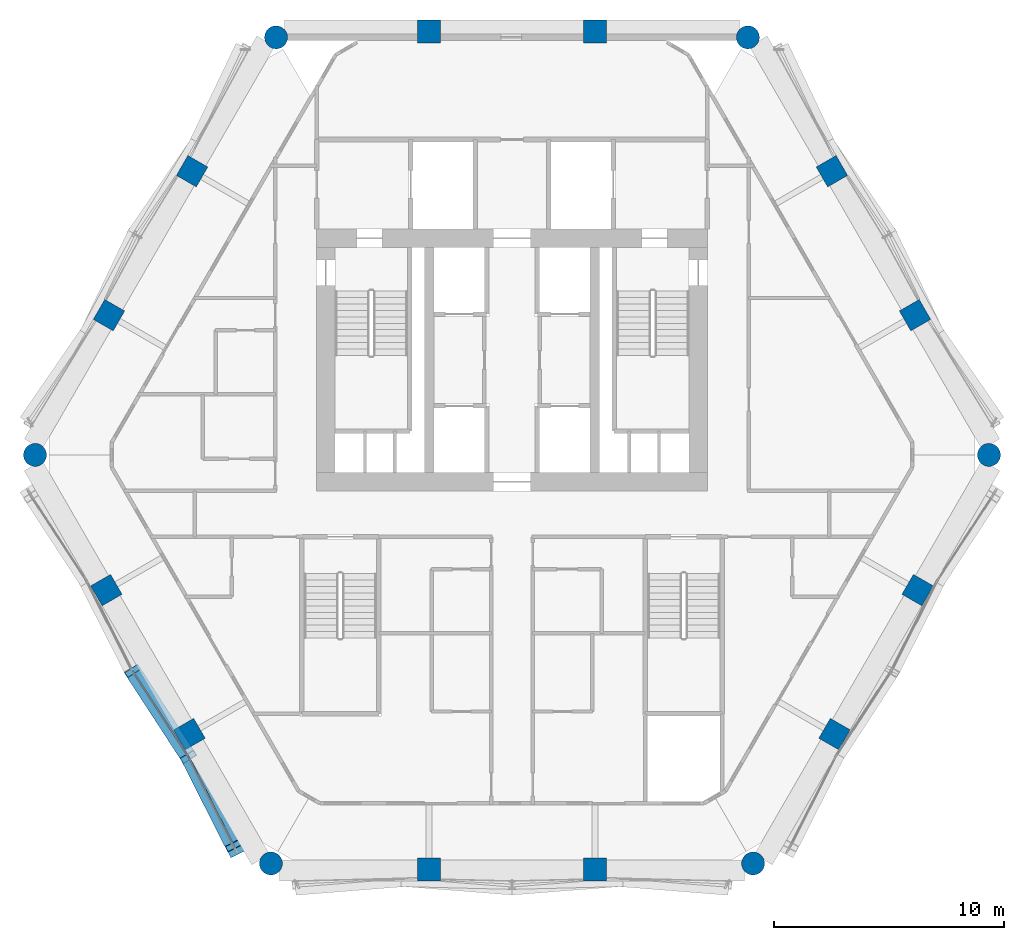
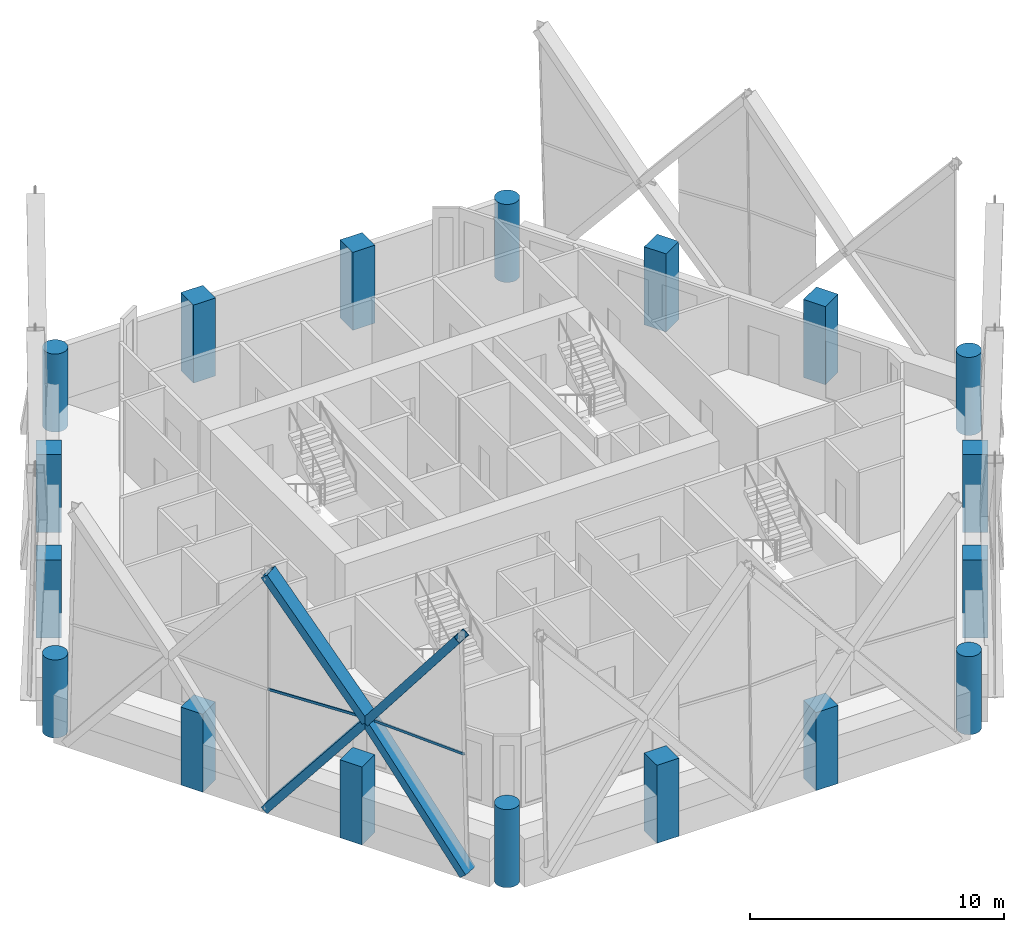
# One storey, part 1 of 19: 18 columns, 6 members, 1 element without a shape of its own.
"""IFC4 building model written with IfcOpenShell, lengths in metres."""

from ifc_helpers import new_model, si_unit, direction, frame, origin, origin_2d, place, context, subcontext, project, spatial, rectangle, hollow_rectangle, circle, extrude, material, material_profile, profile_set, type_object, element, aggregate, save


model = new_model("IFC4")

# Units and contexts
model_context = context("Model", 3, precision=1e-05, world=origin(), true_north=direction((0.0, 1.0)))
body_context = subcontext(model_context, "Body", "Model", "MODEL_VIEW")
ifc_project = project(units=[si_unit("LENGTHUNIT", "METRE"), si_unit("AREAUNIT", "SQUARE_METRE"), si_unit("VOLUMEUNIT", "CUBIC_METRE"), si_unit("PLANEANGLEUNIT", "RADIAN"), si_unit("MASSUNIT", "GRAM", prefix="KILO")], contexts=[model_context])

# Site, building, storey
site_placement = place(None, origin())
site = spatial("IfcSite", under=ifc_project, at=site_placement, CompositionType="ELEMENT")
building_placement = place(site_placement, origin())
building = spatial("IfcBuilding", under=site, at=building_placement, Name="Ostrander Bayou Hotel Tower", CompositionType="ELEMENT")
storey_placement = place(building_placement, frame((0.0, 0.0, 164.5)))
storey = spatial("IfcBuildingStorey", under=building, at=storey_placement, Name="L40", CompositionType="ELEMENT", Elevation=164.5)

# Columns
ifc_material_1 = material(Name="Concrete f'c 60 MPa", Category="concrete")
ifc_material_profile_1 = material_profile(ifc_material_1, circle(Radius=0.5, at=origin_2d()))
ifc_profile_set_1 = profile_set([ifc_material_profile_1], Name="Concrete f'c 60 MPa")
column_type_1 = type_object("IfcColumnType", Name="C5 round column 1000 mm f'c 60 MPa", PredefinedType="COLUMN", material=ifc_profile_set_1)
for number, where, z_axis, x_axis, name in (
    (1, (-10.267333984375, 18.04541015625, -1.199951171875), (0.0, 0.0, 1.0), (1.0, 0.0, 0.0), "C5 L40 K0"),
    (2, (-20.761474609375, -0.130859375, -1.199951171875), (0.0, 0.0, 1.0), (1.0, 0.0, 0.0), "C5 L40 K1"),
    (3, (-10.494140625, -17.91455078125, -1.199951171875), (0.0, 0.0, 1.0), (1.0, 0.0, 0.0), "C5 L40 K2"),
    (4, (10.494140625, -17.91455078125, -1.199951171875), (0.0, 0.0, 1.0), (1.0, 0.0, 0.0), "C5 L40 K3"),
    (5, (20.761474609375, -0.130859375, -1.199951171875), (0.0, 0.0, 1.0), (1.0, 0.0, 0.0), "C5 L40 K4"),
    (6, (10.267333984375, 18.04541015625, -1.199951171875), (0.0, 0.0, 1.0), (1.0, 0.0, 0.0), "C5 L40 K5"),
):
    element("IfcColumn", number, at=place(storey_placement, frame(where, z_axis=z_axis, x_axis=x_axis)), inside=storey, type_object=column_type_1, Name=name, PredefinedType="COLUMN", context=body_context, shape_type="SweptSolid", body=[
        extrude(circle(Radius=0.5, at=origin_2d()), origin(), (0.0, 0.0, 1.0), 3.75),
    ])
ifc_material_2 = material(Name="Concrete f'c 60 MPa", Category="concrete")
ifc_material_profile_2 = material_profile(ifc_material_2, rectangle(XDim=1.0, YDim=1.0, at=origin_2d()))
ifc_profile_set_2 = profile_set([ifc_material_profile_2], Name="Concrete f'c 60 MPa")
column_type_2 = type_object("IfcColumnType", Name="C6 square column 1000 x 1000 mm f'c 60 MPa", PredefinedType="COLUMN", material=ifc_profile_set_2)
for number, where, z_axis, x_axis, name in (
    (7, (3.6181640625, 18.300048828125, -1.199951171875), (0.0, 0.0, 1.0), (1.0, 0.0, 0.0), "C6 L40 N1"),
    (8, (-3.6181640625, 18.300048828125, -1.199951171875), (0.0, 0.0, 1.0), (1.0, 0.0, 0.0), "C6 L40 N2"),
    (9, (-13.92578125, 12.218017578125, -1.199951171875), (0.0, 0.0, 1.0), (0.5, 0.866025403784, 0.0), "C6 L40 NW1"),
    (10, (-17.5439453125, 5.951171875, -1.199951171875), (0.0, 0.0, 1.0), (0.5, 0.866025403784, 0.0), "C6 L40 NW2"),
    (11, (-17.6572265625, -6.0166015625, -1.199951171875), (0.0, 0.0, 1.0), (-0.5, 0.866025403784, 0.0), "C6 L40 SW1"),
    (12, (-14.039306640625, -12.283203125, -1.199951171875), (0.0, 0.0, 1.0), (-0.5, 0.866025403784, 0.0), "C6 L40 SW2"),
    (13, (-3.6181640625, -18.169189453125, -1.199951171875), (0.0, 0.0, 1.0), (-1.0, 0.0, 0.0), "C6 L40 S1"),
    (14, (3.6181640625, -18.169189453125, -1.199951171875), (0.0, 0.0, 1.0), (-1.0, 0.0, 0.0), "C6 L40 S2"),
    (15, (14.039306640625, -12.283203125, -1.199951171875), (0.0, 0.0, 1.0), (-0.5, -0.866025403784, 0.0), "C6 L40 SE1"),
    (16, (17.6572265625, -6.0166015625, -1.199951171875), (0.0, 0.0, 1.0), (-0.5, -0.866025403784, 0.0), "C6 L40 SE2"),
    (17, (17.5439453125, 5.951171875, -1.199951171875), (0.0, 0.0, 1.0), (0.5, -0.866025403784, 0.0), "C6 L40 NE1"),
    (18, (13.92578125, 12.218017578125, -1.199951171875), (0.0, 0.0, 1.0), (0.5, -0.866025403784, 0.0), "C6 L40 NE2"),
):
    element("IfcColumn", number, at=place(storey_placement, frame(where, z_axis=z_axis, x_axis=x_axis)), inside=storey, type_object=column_type_2, Name=name, PredefinedType="COLUMN", context=body_context, shape_type="SweptSolid", body=[
        extrude(rectangle(XDim=1.0, YDim=1.0, at=origin_2d()), origin(), (0.0, 0.0, 1.0), 3.75),
    ])

# Curtain wall, members
ifc_material_3 = material(Name="Aluminium and clear glass", Category="aluminium")
curtain_wall_type = type_object("IfcCurtainWallType", Name="CW-LAT lattice glazing", PredefinedType="NOTDEFINED", material=ifc_material_3)
curtain_wall_placement = place(storey_placement, origin())
curtain_wall = element("IfcCurtainWall", 19, at=curtain_wall_placement, inside=storey, type_object=curtain_wall_type, Name="CW-LAT L40 SW 2", PredefinedType="NOTDEFINED")
ifc_material_4 = material(Name="Aluminium", Category="aluminium")
ifc_material_profile_3 = material_profile(ifc_material_4, hollow_rectangle(XDim=0.06005859375, YDim=0.1201171875, WallThickness=0.00390625, at=origin_2d()))
ifc_profile_set_3 = profile_set([ifc_material_profile_3], Name="Aluminium")
member_type_1 = type_object("IfcMemberType", Name="CW-LA transom 60 x 120 mm", PredefinedType="USERDEFINED", material=ifc_profile_set_3)
member_1_placement = place(storey_placement, frame((-16.51513671875, -9.534912109375, 5.02490234375), z_axis=(0.545349285167, -0.838208898287, 0.0), x_axis=(0.838208898287, 0.545349285167, 0.0)))
member_1 = element("IfcMember", 20, at=member_1_placement, type_object=member_type_1, Name="CW-LAT transom 7", ObjectType="TRANSOM", PredefinedType="USERDEFINED", context=body_context, shape_type="SweptSolid", body=[
    extrude(hollow_rectangle(XDim=0.06005859375, YDim=0.1201171875, WallThickness=0.00390625, at=origin_2d()), origin(), (0.0, 0.0, 1.0), 4.46923828125),
])
member_2_placement = place(storey_placement, frame((-12.05224609375, -17.264892578125, 5.02490234375), z_axis=(-0.45323417002, 0.89139148926, 0.0), x_axis=(-0.89139148926, -0.45323417002, 0.0)))
member_2 = element("IfcMember", 21, at=member_2_placement, type_object=member_type_1, Name="CW-LAT transom 10", ObjectType="TRANSOM", PredefinedType="USERDEFINED", context=body_context, shape_type="SweptSolid", body=[
    extrude(hollow_rectangle(XDim=0.06005859375, YDim=0.1201171875, WallThickness=0.00390625, at=origin_2d()), origin(), (0.0, 0.0, 1.0), 4.46923828125),
])
aggregate(curtain_wall, [member_1, member_2])

# Members
ifc_material_5 = material(Name="Steel ASTM A572 Gr 50", Category="steel")
ifc_material_profile_4 = material_profile(ifc_material_5, hollow_rectangle(XDim=0.699951171875, YDim=0.35009765625, WallThickness=0.02490234375, at=origin_2d()))
ifc_profile_set_4 = profile_set([ifc_material_profile_4], Name="Steel ASTM A572 Gr 50")
member_type_2 = type_object("IfcMemberType", Name="LT1 lattice member box 700 x 350 x 25 mm", PredefinedType="BRACE", material=ifc_profile_set_4)
for number, where, z_axis, x_axis, name in (
    (22, (-14.077880859375, -13.281005859375, 5.02490234375), (-0.339247857866, 0.521428341289, -0.782958093281), (-0.838208898287, -0.545349285167, 0.0), "LT1 L40 SW 5"),
    (23, (-14.077880859375, -13.281005859375, 5.02490234375), (-0.339247857866, 0.521428341289, 0.782958093281), (-0.838208898287, -0.545349285167, 0.0), "LT1 L40 SW 6"),
):
    element("IfcMember", number, at=place(storey_placement, frame(where, z_axis=z_axis, x_axis=x_axis)), inside=storey, type_object=member_type_2, Name=name, PredefinedType="BRACE", context=body_context, shape_type="SweptSolid", body=[
        extrude(hollow_rectangle(XDim=0.699951171875, YDim=0.35009765625, WallThickness=0.02490234375, at=origin_2d()), origin(), (0.0, 0.0, 1.0), 7.184326171875),
    ])
member_3_placement = place(storey_placement, frame((-14.077880859375, -13.281005859375, 5.02490234375), z_axis=(0.28823808157, -0.564627083974, -0.773378991424), x_axis=(0.890657732828, 0.454674392235, 0.0)))
element("IfcMember", 24, at=member_3_placement, inside=storey, type_object=member_type_2, Name="LT1 L40 SW 7", PredefinedType="BRACE", context=body_context, shape_type="SweptSolid", body=[
    extrude(hollow_rectangle(XDim=0.699951171875, YDim=0.35009765625, WallThickness=0.02490234375, at=origin_2d()), origin(), (0.0, 0.0, 1.0), 7.273193359375),
])
member_4_placement = place(storey_placement, frame((-14.077880859375, -13.281005859375, 5.02490234375), z_axis=(0.275438111823, -0.544030690456, 0.792568264819), x_axis=(0.892170683623, 0.451698429578, 0.0)))
element("IfcMember", 25, at=member_4_placement, inside=storey, type_object=member_type_2, Name="LT1 L40 SW 8", PredefinedType="BRACE", context=body_context, shape_type="SweptSolid", body=[
    extrude(hollow_rectangle(XDim=0.699951171875, YDim=0.35009765625, WallThickness=0.02490234375, at=origin_2d()), origin(), (0.0, 0.0, 1.0), 7.09716796875),
])

save(model, "model.ifc")
